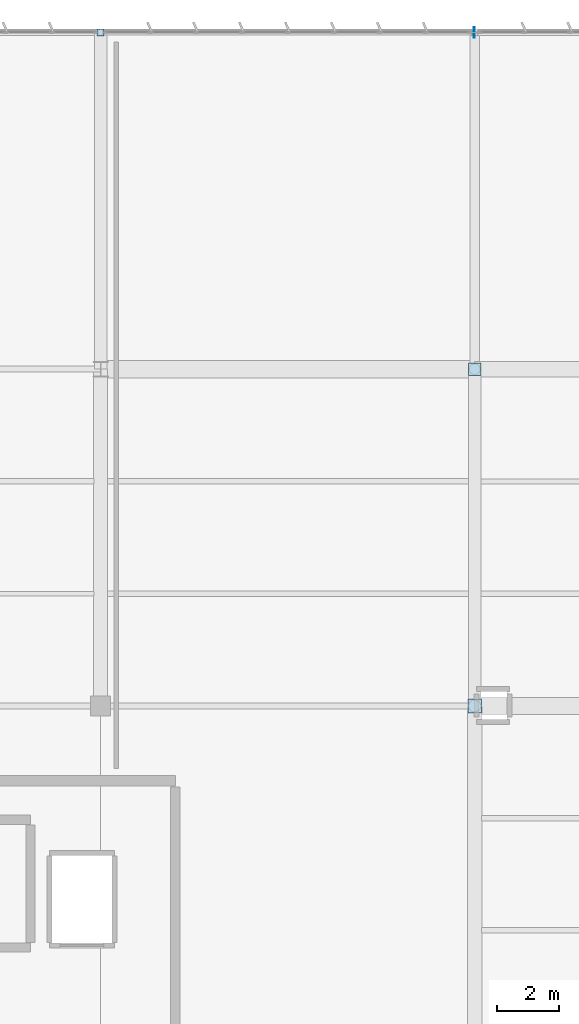
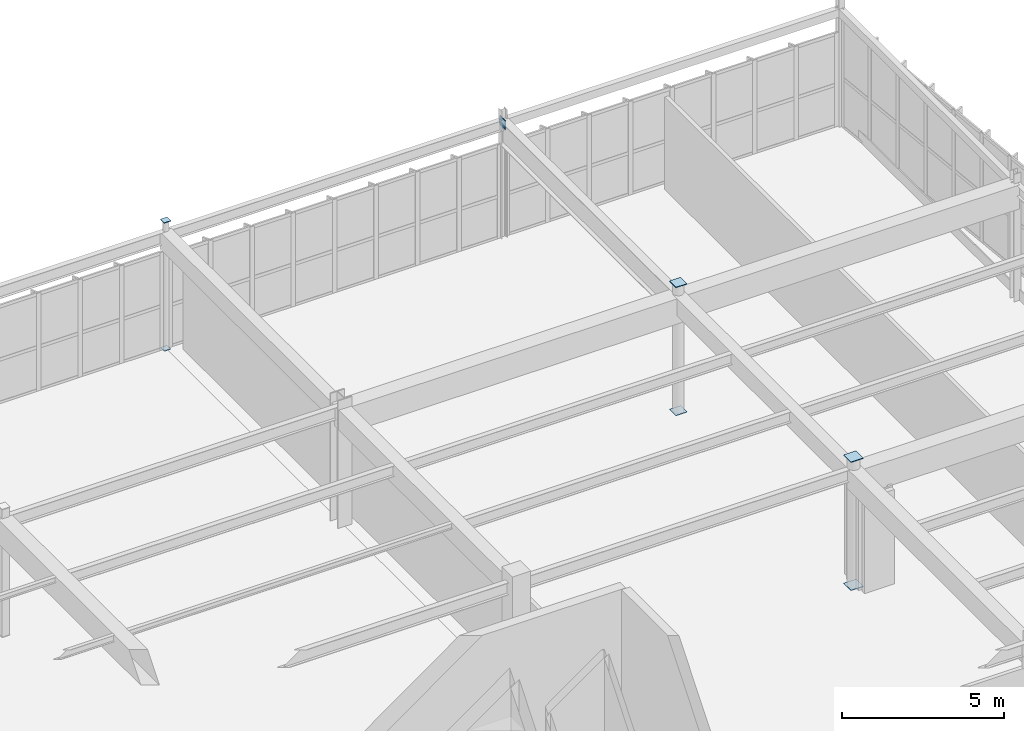
# One storey, part 152 of 186: 7 plates.
"""IFC4 building model written with IfcOpenShell, lengths in metres."""

from ifc_helpers import new_model, si_unit, direction, frame, origin, origin_2d, place, context, subcontext, project, spatial, rectangle, extrude, material, layer, layer_set, type_object, element, save


model = new_model("IFC4")

# Units and contexts
model_context = context("Model", 3, precision=1e-05, world=origin(), true_north=direction((0.0, 1.0)))
body_context = subcontext(model_context, "Body", "Model", "MODEL_VIEW")
ifc_project = project(units=[si_unit("LENGTHUNIT", "METRE"), si_unit("AREAUNIT", "SQUARE_METRE"), si_unit("VOLUMEUNIT", "CUBIC_METRE"), si_unit("PLANEANGLEUNIT", "RADIAN"), si_unit("MASSUNIT", "GRAM", prefix="KILO")], contexts=[model_context])

# Site, building, storey
site_placement = place(None, origin())
site = spatial("IfcSite", under=ifc_project, at=site_placement, CompositionType="ELEMENT")
building_placement = place(site_placement, origin())
building = spatial("IfcBuilding", under=site, at=building_placement, Name="Tarnwether General Hospital", CompositionType="ELEMENT")
storey_placement = place(building_placement, frame((0.0, 0.0, 9.60009765625)))
storey = spatial("IfcBuildingStorey", under=building, at=storey_placement, Name="L02", CompositionType="ELEMENT", Elevation=9.60009765625)

# Plates
ifc_material = material(Name="Steel Grade 350 (350 MPa)", Category="steel")
ifc_layer = layer(ifc_material, 0.02490234375)
ifc_layer_set = layer_set([ifc_layer], Name="Steel Grade 350 (350 MPa)")
plate_type = type_object("IfcPlateType", Name="PT-GUS2", PredefinedType="USERDEFINED", material=ifc_layer_set)
for number, where, z_axis, x_axis, name in (
    (1, (168.0, 126.0, -0.025146484375), (0.0, 0.0, 1.0), (1.0, 0.0, 0.0), "Hollow Section Welded End Cap Plate 0375"),
    (2, (168.0, 126.0, 4.800048828125), (0.0, 0.0, 1.0), (1.0, 0.0, 0.0), "Hollow Section Welded End Cap Plate 0376"),
):
    element("IfcPlate", number, at=place(storey_placement, frame(where, z_axis=z_axis, x_axis=x_axis)), inside=storey, type_object=plate_type, Name=name, ObjectType="GUSSET", PredefinedType="USERDEFINED", context=body_context, shape_type="SweptSolid", body=[
        extrude(rectangle(XDim=0.23388671875, YDim=0.23388671875, at=origin_2d()), origin(), (0.0, 0.0, 1.0), 0.02490234375),
    ])
for number, where, z_axis, x_axis, name in (
    (3, (180.0, 104.39990234375, -0.025146484375), (0.0, 0.0, 1.0), (1.0, 0.0, 0.0), "Hollow Section Welded End Cap Plate 0385"),
    (4, (180.0, 104.39990234375, 4.800048828125), (0.0, 0.0, 1.0), (1.0, 0.0, 0.0), "Hollow Section Welded End Cap Plate 0386"),
):
    element("IfcPlate", number, at=place(storey_placement, frame(where, z_axis=z_axis, x_axis=x_axis)), inside=storey, type_object=plate_type, Name=name, ObjectType="GUSSET", PredefinedType="USERDEFINED", context=body_context, shape_type="SweptSolid", body=[
        extrude(rectangle(XDim=0.446044921875, YDim=0.446044921875, at=origin_2d()), origin(), (0.0, 0.0, 1.0), 0.02490234375),
    ])
for number, where, z_axis, x_axis, name in (
    (5, (180.0, 115.199951171875, -0.025146484375), (0.0, 0.0, 1.0), (1.0, 0.0, 0.0), "Hollow Section Welded End Cap Plate 0391"),
    (6, (180.0, 115.199951171875, 4.800048828125), (0.0, 0.0, 1.0), (1.0, 0.0, 0.0), "Hollow Section Welded End Cap Plate 0392"),
):
    element("IfcPlate", number, at=place(storey_placement, frame(where, z_axis=z_axis, x_axis=x_axis)), inside=storey, type_object=plate_type, Name=name, ObjectType="GUSSET", PredefinedType="USERDEFINED", context=body_context, shape_type="SweptSolid", body=[
        extrude(rectangle(XDim=0.39599609375, YDim=0.39599609375, at=origin_2d()), origin(), (0.0, 0.0, 1.0), 0.02490234375),
    ])
plate_placement = place(storey_placement, frame((179.987548828125, 126.0, 4.11962890625), z_axis=(0.0, 0.0, 1.0), x_axis=(1.0, 0.0, 0.0)))
element("IfcPlate", 7, at=plate_placement, inside=storey, type_object=plate_type, Name="Hollow Section Welded End Cap Plate 0973", ObjectType="GUSSET", PredefinedType="USERDEFINED", context=body_context, shape_type="SweptSolid", body=[
    extrude(rectangle(XDim=0.02490234375, YDim=0.340087890625, at=origin_2d()), origin(), (0.0, 0.0, 1.0), 0.340087890625),
])

save(model, "model.ifc")
